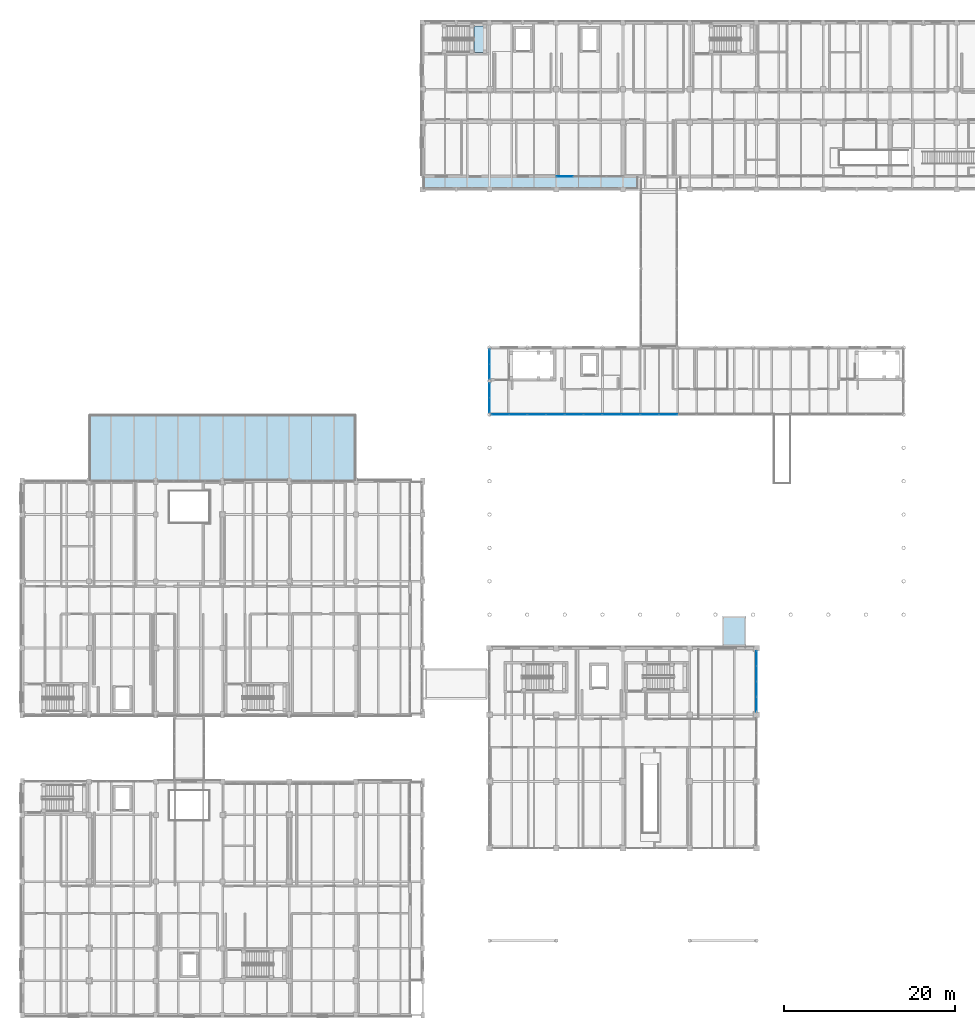
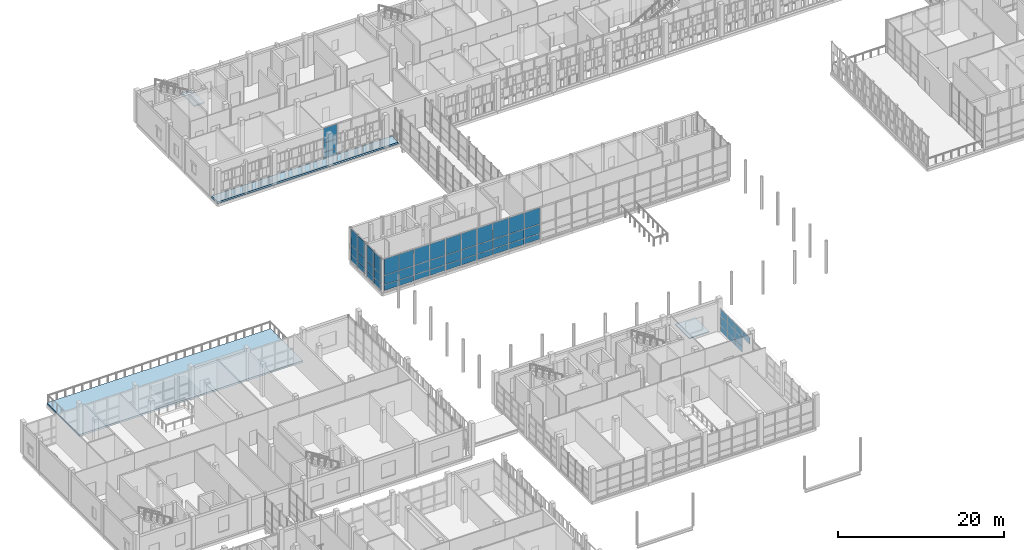
# One storey, part 81 of 138: 55 plates, 4 slabs, 10 elements without a shape of their own.
"""IFC4 building model written with IfcOpenShell, lengths in metres."""

from ifc_helpers import new_model, si_unit, direction, frame, origin, origin_2d, place, context, subcontext, project, spatial, polyline, rectangle, outline, extrude, material, layer, layer_set, type_object, element, aggregate, save


model = new_model("IFC4")

# Units and contexts
model_context = context("Model", 3, precision=1e-05, world=origin(), true_north=direction((0.0, 1.0)))
body_context = subcontext(model_context, "Body", "Model", "MODEL_VIEW")
ifc_project = project(units=[si_unit("LENGTHUNIT", "METRE"), si_unit("AREAUNIT", "SQUARE_METRE"), si_unit("VOLUMEUNIT", "CUBIC_METRE"), si_unit("PLANEANGLEUNIT", "RADIAN"), si_unit("MASSUNIT", "GRAM", prefix="KILO")], contexts=[model_context])

# Site, building, storey
site_placement = place(None, origin())
site = spatial("IfcSite", under=ifc_project, at=site_placement, CompositionType="ELEMENT")
building_placement = place(site_placement, origin())
building = spatial("IfcBuilding", under=site, at=building_placement, Name="Celorna Specialist Clinic", CompositionType="ELEMENT")
storey_placement = place(building_placement, frame((0.0, 0.0, 4.800048828125)))
storey = spatial("IfcBuildingStorey", under=building, at=storey_placement, Name="L01", CompositionType="ELEMENT", Elevation=4.800048828125)

# Curtain wall, plates
ifc_material_1 = material(Name="Thermally broken aluminium and solar-control glass curtain wall", Category="aluminium")
ifc_layer_1 = layer(ifc_material_1, 0.159912109375, Name="Thermally broken aluminium and solar-control glass curtain wall")
ifc_layer_set_1 = layer_set([ifc_layer_1], Name="Thermally broken aluminium and solar-control glass curtain wall")
curtain_wall_type_1 = type_object("IfcCurtainWallType", Name="CW-09", PredefinedType="NOTDEFINED", material=ifc_layer_set_1)
curtain_wall_1_placement = place(storey_placement, origin())
curtain_wall_1 = element("IfcCurtainWall", 1, at=curtain_wall_1_placement, inside=storey, type_object=curtain_wall_type_1, Name="Curtain wall CW-09 #27", PredefinedType="NOTDEFINED")
ifc_material_2 = material(Name="Low-e double glazing", Category="glass")
ifc_layer_2 = layer(ifc_material_2, 0.028076171875, Name="Low-e double glazing")
ifc_layer_set_2 = layer_set([ifc_layer_2], Name="Low-e double glazing")
plate_type_1 = type_object("IfcPlateType", Name="CPN-01", PredefinedType="CURTAIN_PANEL", material=ifc_layer_set_2)
plate_1_placement = place(storey_placement, frame((62.285400390625, 70.199951171875, 0.0498046875), z_axis=(0.0, 0.0, 1.0), x_axis=(-1.0, 0.0, 0.0)))
plate_1 = element("IfcPlate", 2, at=plate_1_placement, type_object=plate_type_1, Name="CW-09 panel 1.1", PredefinedType="CURTAIN_PANEL", context=body_context, shape_type="SweptSolid", body=[
    extrude(rectangle(XDim=2.12109375, YDim=0.028076171875, at=origin_2d()), origin(), (0.0, 0.0, 1.0), 0.824951171875),
])
plate_2_placement = place(storey_placement, frame((62.285400390625, 70.199951171875, 0.9248046875), z_axis=(0.0, 0.0, 1.0), x_axis=(-1.0, 0.0, 0.0)))
plate_2 = element("IfcPlate", 3, at=plate_2_placement, type_object=plate_type_1, Name="CW-09 panel 1.2", PredefinedType="CURTAIN_PANEL", context=body_context, shape_type="SweptSolid", body=[
    extrude(rectangle(XDim=2.12109375, YDim=0.028076171875, at=origin_2d()), origin(), (0.0, 0.0, 1.0), 1.35009765625),
])
plate_3_placement = place(storey_placement, frame((62.285400390625, 70.199951171875, 2.324951171875), z_axis=(0.0, 0.0, 1.0), x_axis=(-1.0, 0.0, 0.0)))
plate_3 = element("IfcPlate", 4, at=plate_3_placement, type_object=plate_type_1, Name="CW-09 panel 1.3", PredefinedType="CURTAIN_PANEL", context=body_context, shape_type="SweptSolid", body=[
    extrude(rectangle(XDim=2.12109375, YDim=0.028076171875, at=origin_2d()), origin(), (0.0, 0.0, 1.0), 2.375),
])
plate_4_placement = place(storey_placement, frame((60.114501953125, 70.199951171875, 0.0498046875), z_axis=(0.0, 0.0, 1.0), x_axis=(-1.0, 0.0, 0.0)))
plate_4 = element("IfcPlate", 5, at=plate_4_placement, type_object=plate_type_1, Name="CW-09 panel 2.1", PredefinedType="CURTAIN_PANEL", context=body_context, shape_type="SweptSolid", body=[
    extrude(rectangle(XDim=2.12109375, YDim=0.028076171875, at=origin_2d()), origin(), (0.0, 0.0, 1.0), 0.824951171875),
])
plate_5_placement = place(storey_placement, frame((60.114501953125, 70.199951171875, 0.9248046875), z_axis=(0.0, 0.0, 1.0), x_axis=(-1.0, 0.0, 0.0)))
plate_5 = element("IfcPlate", 6, at=plate_5_placement, type_object=plate_type_1, Name="CW-09 panel 2.2", PredefinedType="CURTAIN_PANEL", context=body_context, shape_type="SweptSolid", body=[
    extrude(rectangle(XDim=2.12109375, YDim=0.028076171875, at=origin_2d()), origin(), (0.0, 0.0, 1.0), 1.35009765625),
])
plate_6_placement = place(storey_placement, frame((60.114501953125, 70.199951171875, 2.324951171875), z_axis=(0.0, 0.0, 1.0), x_axis=(-1.0, 0.0, 0.0)))
plate_6 = element("IfcPlate", 7, at=plate_6_placement, type_object=plate_type_1, Name="CW-09 panel 2.3", PredefinedType="CURTAIN_PANEL", context=body_context, shape_type="SweptSolid", body=[
    extrude(rectangle(XDim=2.12109375, YDim=0.028076171875, at=origin_2d()), origin(), (0.0, 0.0, 1.0), 2.375),
])
aggregate(curtain_wall_1, [plate_1, plate_2, plate_3, plate_4, plate_5, plate_6])

curtain_wall_2_placement = place(storey_placement, origin())
curtain_wall_2 = element("IfcCurtainWall", 8, at=curtain_wall_2_placement, inside=storey, type_object=curtain_wall_type_1, Name="Curtain wall CW-09 #30", PredefinedType="NOTDEFINED")
plate_7_placement = place(storey_placement, frame((75.485595703125, 70.199951171875, 0.0498046875), z_axis=(0.0, 0.0, 1.0), x_axis=(-1.0, 0.0, 0.0)))
plate_7 = element("IfcPlate", 9, at=plate_7_placement, type_object=plate_type_1, Name="CW-09 panel 1.1", PredefinedType="CURTAIN_PANEL", context=body_context, shape_type="SweptSolid", body=[
    extrude(rectangle(XDim=2.12109375, YDim=0.028076171875, at=origin_2d()), origin(), (0.0, 0.0, 1.0), 0.824951171875),
])
plate_8_placement = place(storey_placement, frame((75.485595703125, 70.199951171875, 0.9248046875), z_axis=(0.0, 0.0, 1.0), x_axis=(-1.0, 0.0, 0.0)))
plate_8 = element("IfcPlate", 10, at=plate_8_placement, type_object=plate_type_1, Name="CW-09 panel 1.2", PredefinedType="CURTAIN_PANEL", context=body_context, shape_type="SweptSolid", body=[
    extrude(rectangle(XDim=2.12109375, YDim=0.028076171875, at=origin_2d()), origin(), (0.0, 0.0, 1.0), 1.35009765625),
])
plate_9_placement = place(storey_placement, frame((75.485595703125, 70.199951171875, 2.324951171875), z_axis=(0.0, 0.0, 1.0), x_axis=(-1.0, 0.0, 0.0)))
plate_9 = element("IfcPlate", 11, at=plate_9_placement, type_object=plate_type_1, Name="CW-09 panel 1.3", PredefinedType="CURTAIN_PANEL", context=body_context, shape_type="SweptSolid", body=[
    extrude(rectangle(XDim=2.12109375, YDim=0.028076171875, at=origin_2d()), origin(), (0.0, 0.0, 1.0), 2.375),
])
plate_10_placement = place(storey_placement, frame((73.314453125, 70.199951171875, 0.0498046875), z_axis=(0.0, 0.0, 1.0), x_axis=(-1.0, 0.0, 0.0)))
plate_10 = element("IfcPlate", 12, at=plate_10_placement, type_object=plate_type_1, Name="CW-09 panel 2.1", PredefinedType="CURTAIN_PANEL", context=body_context, shape_type="SweptSolid", body=[
    extrude(rectangle(XDim=2.12109375, YDim=0.028076171875, at=origin_2d()), origin(), (0.0, 0.0, 1.0), 0.824951171875),
])
plate_11_placement = place(storey_placement, frame((73.314453125, 70.199951171875, 0.9248046875), z_axis=(0.0, 0.0, 1.0), x_axis=(-1.0, 0.0, 0.0)))
plate_11 = element("IfcPlate", 13, at=plate_11_placement, type_object=plate_type_1, Name="CW-09 panel 2.2", PredefinedType="CURTAIN_PANEL", context=body_context, shape_type="SweptSolid", body=[
    extrude(rectangle(XDim=2.12109375, YDim=0.028076171875, at=origin_2d()), origin(), (0.0, 0.0, 1.0), 1.35009765625),
])
plate_12_placement = place(storey_placement, frame((73.314453125, 70.199951171875, 2.324951171875), z_axis=(0.0, 0.0, 1.0), x_axis=(-1.0, 0.0, 0.0)))
plate_12 = element("IfcPlate", 14, at=plate_12_placement, type_object=plate_type_1, Name="CW-09 panel 2.3", PredefinedType="CURTAIN_PANEL", context=body_context, shape_type="SweptSolid", body=[
    extrude(rectangle(XDim=2.12109375, YDim=0.028076171875, at=origin_2d()), origin(), (0.0, 0.0, 1.0), 2.375),
])
aggregate(curtain_wall_2, [plate_7, plate_8, plate_9, plate_10, plate_11, plate_12])

ifc_layer_3 = layer(ifc_material_1, 0.159912109375, Name="Thermally broken aluminium and solar-control glass curtain wall")
ifc_layer_set_3 = layer_set([ifc_layer_3], Name="Thermally broken aluminium and solar-control glass curtain wall")
curtain_wall_type_2 = type_object("IfcCurtainWallType", Name="CW-10", PredefinedType="NOTDEFINED", material=ifc_layer_set_3)
curtain_wall_3_placement = place(storey_placement, origin())
curtain_wall_3 = element("IfcCurtainWall", 15, at=curtain_wall_3_placement, inside=storey, type_object=curtain_wall_type_2, Name="Curtain wall CW-10 #28", PredefinedType="NOTDEFINED")
ifc_material_3 = material(Name="Solar-control triple glazing", Category="glass")
ifc_layer_4 = layer(ifc_material_3, 0.035888671875, Name="Solar-control triple glazing")
ifc_layer_set_4 = layer_set([ifc_layer_4], Name="Solar-control triple glazing")
plate_type_2 = type_object("IfcPlateType", Name="CPN-02", PredefinedType="CURTAIN_PANEL", material=ifc_layer_set_4)
plate_13_placement = place(storey_placement, frame((66.685546875, 70.199951171875, 0.0498046875), z_axis=(0.0, 0.0, 1.0), x_axis=(-1.0, 0.0, 0.0)))
plate_13 = element("IfcPlate", 16, at=plate_13_placement, type_object=plate_type_2, Name="CW-10 panel 1.1", PredefinedType="CURTAIN_PANEL", context=body_context, shape_type="SweptSolid", body=[
    extrude(rectangle(XDim=2.12109375, YDim=0.035888671875, at=origin_2d()), origin(), (0.0, 0.0, 1.0), 0.824951171875),
])
plate_14_placement = place(storey_placement, frame((66.685546875, 70.199951171875, 0.9248046875), z_axis=(0.0, 0.0, 1.0), x_axis=(-1.0, 0.0, 0.0)))
plate_14 = element("IfcPlate", 17, at=plate_14_placement, type_object=plate_type_2, Name="CW-10 panel 1.2", PredefinedType="CURTAIN_PANEL", context=body_context, shape_type="SweptSolid", body=[
    extrude(rectangle(XDim=2.12109375, YDim=0.035888671875, at=origin_2d()), origin(), (0.0, 0.0, 1.0), 1.35009765625),
])
plate_15_placement = place(storey_placement, frame((66.685546875, 70.199951171875, 2.324951171875), z_axis=(0.0, 0.0, 1.0), x_axis=(-1.0, 0.0, 0.0)))
plate_15 = element("IfcPlate", 18, at=plate_15_placement, type_object=plate_type_2, Name="CW-10 panel 1.3", PredefinedType="CURTAIN_PANEL", context=body_context, shape_type="SweptSolid", body=[
    extrude(rectangle(XDim=2.12109375, YDim=0.035888671875, at=origin_2d()), origin(), (0.0, 0.0, 1.0), 2.375),
])
plate_16_placement = place(storey_placement, frame((64.514404296875, 70.199951171875, 0.0498046875), z_axis=(0.0, 0.0, 1.0), x_axis=(-1.0, 0.0, 0.0)))
plate_16 = element("IfcPlate", 19, at=plate_16_placement, type_object=plate_type_2, Name="CW-10 panel 2.1", PredefinedType="CURTAIN_PANEL", context=body_context, shape_type="SweptSolid", body=[
    extrude(rectangle(XDim=2.12109375, YDim=0.035888671875, at=origin_2d()), origin(), (0.0, 0.0, 1.0), 0.824951171875),
])
plate_17_placement = place(storey_placement, frame((64.514404296875, 70.199951171875, 0.9248046875), z_axis=(0.0, 0.0, 1.0), x_axis=(-1.0, 0.0, 0.0)))
plate_17 = element("IfcPlate", 20, at=plate_17_placement, type_object=plate_type_2, Name="CW-10 panel 2.2", PredefinedType="CURTAIN_PANEL", context=body_context, shape_type="SweptSolid", body=[
    extrude(rectangle(XDim=2.12109375, YDim=0.035888671875, at=origin_2d()), origin(), (0.0, 0.0, 1.0), 1.35009765625),
])
plate_18_placement = place(storey_placement, frame((64.514404296875, 70.199951171875, 2.324951171875), z_axis=(0.0, 0.0, 1.0), x_axis=(-1.0, 0.0, 0.0)))
plate_18 = element("IfcPlate", 21, at=plate_18_placement, type_object=plate_type_2, Name="CW-10 panel 2.3", PredefinedType="CURTAIN_PANEL", context=body_context, shape_type="SweptSolid", body=[
    extrude(rectangle(XDim=2.12109375, YDim=0.035888671875, at=origin_2d()), origin(), (0.0, 0.0, 1.0), 2.375),
])
aggregate(curtain_wall_3, [plate_13, plate_14, plate_15, plate_16, plate_17, plate_18])

ifc_layer_5 = layer(ifc_material_1, 0.159912109375, Name="Thermally broken aluminium and solar-control glass curtain wall")
ifc_layer_set_5 = layer_set([ifc_layer_5], Name="Thermally broken aluminium and solar-control glass curtain wall")
curtain_wall_type_3 = type_object("IfcCurtainWallType", Name="CW-26", PredefinedType="NOTDEFINED", material=ifc_layer_set_5)
curtain_wall_4_placement = place(storey_placement, origin())
curtain_wall_4 = element("IfcCurtainWall", 22, at=curtain_wall_4_placement, inside=storey, type_object=curtain_wall_type_3, Name="Curtain wall CW-26 #104", PredefinedType="NOTDEFINED")
plate_19_placement = place(storey_placement, frame((63.390380859375, 98.0, 0.0498046875), z_axis=(0.0, 0.0, 1.0), x_axis=(-1.0, 0.0, 0.0)))
plate_19 = element("IfcPlate", 23, at=plate_19_placement, type_object=plate_type_2, Name="CW-26 panel 4.1", PredefinedType="CURTAIN_PANEL", context=body_context, shape_type="SweptSolid", body=[
    extrude(rectangle(XDim=1.873046875, YDim=0.035888671875, at=origin_2d()), origin(), (0.0, 0.0, 1.0), 0.824951171875),
])
plate_20_placement = place(storey_placement, frame((63.390380859375, 98.0, 0.9248046875), z_axis=(0.0, 0.0, 1.0), x_axis=(-1.0, 0.0, 0.0)))
plate_20 = element("IfcPlate", 24, at=plate_20_placement, type_object=plate_type_2, Name="CW-26 panel 4.2", PredefinedType="CURTAIN_PANEL", context=body_context, shape_type="SweptSolid", body=[
    extrude(rectangle(XDim=1.873046875, YDim=0.035888671875, at=origin_2d()), origin(), (0.0, 0.0, 1.0), 1.35009765625),
])
plate_21_placement = place(storey_placement, frame((63.390380859375, 98.0, 2.324951171875), z_axis=(0.0, 0.0, 1.0), x_axis=(-1.0, 0.0, 0.0)))
plate_21 = element("IfcPlate", 25, at=plate_21_placement, type_object=plate_type_2, Name="CW-26 panel 4.3", PredefinedType="CURTAIN_PANEL", context=body_context, shape_type="SweptSolid", body=[
    extrude(rectangle(XDim=1.873046875, YDim=0.035888671875, at=origin_2d()), origin(), (0.0, 0.0, 1.0), 2.1650390625),
])
aggregate(curtain_wall_4, [plate_19, plate_20, plate_21])

ifc_layer_6 = layer(ifc_material_1, 0.159912109375, Name="Thermally broken aluminium and solar-control glass curtain wall")
ifc_layer_set_6 = layer_set([ifc_layer_6], Name="Thermally broken aluminium and solar-control glass curtain wall")
curtain_wall_type_4 = type_object("IfcCurtainWallType", Name="CW-110", PredefinedType="NOTDEFINED", material=ifc_layer_set_6)
curtain_wall_5_placement = place(storey_placement, origin())
curtain_wall_5 = element("IfcCurtainWall", 26, at=curtain_wall_5_placement, inside=storey, type_object=curtain_wall_type_4, Name="Curtain wall CW-110 #195", PredefinedType="NOTDEFINED")
plate_22_placement = place(storey_placement, frame((85.800048828125, 41.665771484375, 0.0498046875), z_axis=(0.0, 0.0, 1.0), x_axis=(0.0, -1.0, 0.0)))
plate_22 = element("IfcPlate", 27, at=plate_22_placement, type_object=plate_type_2, Name="CW-110 panel 1.1", PredefinedType="CURTAIN_PANEL", context=body_context, shape_type="SweptSolid", body=[
    extrude(rectangle(XDim=1.71044921875, YDim=0.035888671875, at=origin_2d()), origin(), (0.0, 0.0, 1.0), 0.824951171875),
])
plate_23_placement = place(storey_placement, frame((85.800048828125, 41.665771484375, 0.9248046875), z_axis=(0.0, 0.0, 1.0), x_axis=(0.0, -1.0, 0.0)))
plate_23 = element("IfcPlate", 28, at=plate_23_placement, type_object=plate_type_2, Name="CW-110 panel 1.2", PredefinedType="CURTAIN_PANEL", context=body_context, shape_type="SweptSolid", body=[
    extrude(rectangle(XDim=1.71044921875, YDim=0.035888671875, at=origin_2d()), origin(), (0.0, 0.0, 1.0), 1.35009765625),
])
plate_24_placement = place(storey_placement, frame((85.800048828125, 41.665771484375, 2.3251953125), z_axis=(0.0, 0.0, 1.0), x_axis=(0.0, -1.0, 0.0)))
plate_24 = element("IfcPlate", 29, at=plate_24_placement, type_object=plate_type_2, Name="CW-110 panel 1.3", PredefinedType="CURTAIN_PANEL", context=body_context, shape_type="SweptSolid", body=[
    extrude(rectangle(XDim=1.71044921875, YDim=0.035888671875, at=origin_2d()), origin(), (0.0, 0.0, 1.0), 1.014892578125),
])
plate_25_placement = place(storey_placement, frame((85.800048828125, 39.892822265625, 0.0498046875), z_axis=(0.0, 0.0, 1.0), x_axis=(0.0, -1.0, 0.0)))
plate_25 = element("IfcPlate", 30, at=plate_25_placement, type_object=plate_type_2, Name="CW-110 panel 2.1", PredefinedType="CURTAIN_PANEL", context=body_context, shape_type="SweptSolid", body=[
    extrude(rectangle(XDim=1.735595703125, YDim=0.035888671875, at=origin_2d()), origin(), (0.0, 0.0, 1.0), 0.824951171875),
])
plate_26_placement = place(storey_placement, frame((85.800048828125, 39.892822265625, 0.9248046875), z_axis=(0.0, 0.0, 1.0), x_axis=(0.0, -1.0, 0.0)))
plate_26 = element("IfcPlate", 31, at=plate_26_placement, type_object=plate_type_2, Name="CW-110 panel 2.2", PredefinedType="CURTAIN_PANEL", context=body_context, shape_type="SweptSolid", body=[
    extrude(rectangle(XDim=1.735595703125, YDim=0.035888671875, at=origin_2d()), origin(), (0.0, 0.0, 1.0), 1.35009765625),
])
plate_27_placement = place(storey_placement, frame((85.800048828125, 39.892822265625, 2.3251953125), z_axis=(0.0, 0.0, 1.0), x_axis=(0.0, -1.0, 0.0)))
plate_27 = element("IfcPlate", 32, at=plate_27_placement, type_object=plate_type_2, Name="CW-110 panel 2.3", PredefinedType="CURTAIN_PANEL", context=body_context, shape_type="SweptSolid", body=[
    extrude(rectangle(XDim=1.735595703125, YDim=0.035888671875, at=origin_2d()), origin(), (0.0, 0.0, 1.0), 1.014892578125),
])
plate_28_placement = place(storey_placement, frame((85.800048828125, 38.107177734375, 0.0498046875), z_axis=(0.0, 0.0, 1.0), x_axis=(0.0, -1.0, 0.0)))
plate_28 = element("IfcPlate", 33, at=plate_28_placement, type_object=plate_type_2, Name="CW-110 panel 3.1", PredefinedType="CURTAIN_PANEL", context=body_context, shape_type="SweptSolid", body=[
    extrude(rectangle(XDim=1.735595703125, YDim=0.035888671875, at=origin_2d()), origin(), (0.0, 0.0, 1.0), 0.824951171875),
])
plate_29_placement = place(storey_placement, frame((85.800048828125, 38.107177734375, 0.9248046875), z_axis=(0.0, 0.0, 1.0), x_axis=(0.0, -1.0, 0.0)))
plate_29 = element("IfcPlate", 34, at=plate_29_placement, type_object=plate_type_2, Name="CW-110 panel 3.2", PredefinedType="CURTAIN_PANEL", context=body_context, shape_type="SweptSolid", body=[
    extrude(rectangle(XDim=1.735595703125, YDim=0.035888671875, at=origin_2d()), origin(), (0.0, 0.0, 1.0), 1.35009765625),
])
plate_30_placement = place(storey_placement, frame((85.800048828125, 38.107177734375, 2.3251953125), z_axis=(0.0, 0.0, 1.0), x_axis=(0.0, -1.0, 0.0)))
plate_30 = element("IfcPlate", 35, at=plate_30_placement, type_object=plate_type_2, Name="CW-110 panel 3.3", PredefinedType="CURTAIN_PANEL", context=body_context, shape_type="SweptSolid", body=[
    extrude(rectangle(XDim=1.735595703125, YDim=0.035888671875, at=origin_2d()), origin(), (0.0, 0.0, 1.0), 1.014892578125),
])
plate_31_placement = place(storey_placement, frame((85.800048828125, 36.334228515625, 2.3251953125), z_axis=(0.0, 0.0, 1.0), x_axis=(0.0, -1.0, 0.0)))
plate_31 = element("IfcPlate", 36, at=plate_31_placement, type_object=plate_type_2, Name="CW-110 panel 4.3", PredefinedType="CURTAIN_PANEL", context=body_context, shape_type="SweptSolid", body=[
    extrude(rectangle(XDim=1.71044921875, YDim=0.035888671875, at=origin_2d()), origin(), (0.0, 0.0, 1.0), 1.014892578125),
])
aggregate(curtain_wall_5, [plate_22, plate_23, plate_24, plate_25, plate_26, plate_27, plate_28, plate_29, plate_30, plate_31])

ifc_layer_7 = layer(ifc_material_1, 0.159912109375, Name="Thermally broken aluminium and solar-control glass curtain wall")
ifc_layer_set_7 = layer_set([ifc_layer_7], Name="Thermally broken aluminium and solar-control glass curtain wall")
curtain_wall_type_5 = type_object("IfcCurtainWallType", Name="CW-08", PredefinedType="NOTDEFINED", material=ifc_layer_set_7)
curtain_wall_6_placement = place(storey_placement, origin())
curtain_wall_6 = element("IfcCurtainWall", 37, at=curtain_wall_6_placement, inside=storey, type_object=curtain_wall_type_5, Name="Curtain wall CW-08 #26", PredefinedType="NOTDEFINED")
ifc_material_4 = material(Name="Glazed polychrome ceramic insulated spandrel")
ifc_layer_8 = layer(ifc_material_4, 0.0439453125, Name="Glazed polychrome ceramic insulated spandrel")
ifc_layer_set_8 = layer_set([ifc_layer_8], Name="Glazed polychrome ceramic insulated spandrel")
plate_type_3 = type_object("IfcPlateType", Name="CPN-03", PredefinedType="CURTAIN_PANEL", material=ifc_layer_set_8)
plate_32_placement = place(storey_placement, frame((57.936279296875, 70.199951171875, 0.0498046875), z_axis=(0.0, 0.0, 1.0), x_axis=(-1.0, 0.0, 0.0)))
plate_32 = element("IfcPlate", 38, at=plate_32_placement, type_object=plate_type_3, Name="CW-08 panel 1.1", PredefinedType="CURTAIN_PANEL", context=body_context, shape_type="SweptSolid", body=[
    extrude(rectangle(XDim=2.019287109375, YDim=0.0439453125, at=origin_2d()), origin(), (0.0, 0.0, 1.0), 0.824951171875),
])
plate_33_placement = place(storey_placement, frame((57.936279296875, 70.199951171875, 0.9248046875), z_axis=(0.0, 0.0, 1.0), x_axis=(-1.0, 0.0, 0.0)))
plate_33 = element("IfcPlate", 39, at=plate_33_placement, type_object=plate_type_3, Name="CW-08 panel 1.2", PredefinedType="CURTAIN_PANEL", context=body_context, shape_type="SweptSolid", body=[
    extrude(rectangle(XDim=2.019287109375, YDim=0.0439453125, at=origin_2d()), origin(), (0.0, 0.0, 1.0), 1.35009765625),
])
plate_34_placement = place(storey_placement, frame((57.936279296875, 70.199951171875, 2.324951171875), z_axis=(0.0, 0.0, 1.0), x_axis=(-1.0, 0.0, 0.0)))
plate_34 = element("IfcPlate", 40, at=plate_34_placement, type_object=plate_type_3, Name="CW-08 panel 1.3", PredefinedType="CURTAIN_PANEL", context=body_context, shape_type="SweptSolid", body=[
    extrude(rectangle(XDim=2.019287109375, YDim=0.0439453125, at=origin_2d()), origin(), (0.0, 0.0, 1.0), 2.375),
])
plate_35_placement = place(storey_placement, frame((55.866943359375, 70.199951171875, 0.0498046875), z_axis=(0.0, 0.0, 1.0), x_axis=(-1.0, 0.0, 0.0)))
plate_35 = element("IfcPlate", 41, at=plate_35_placement, type_object=plate_type_3, Name="CW-08 panel 2.1", PredefinedType="CURTAIN_PANEL", context=body_context, shape_type="SweptSolid", body=[
    extrude(rectangle(XDim=2.019287109375, YDim=0.0439453125, at=origin_2d()), origin(), (0.0, 0.0, 1.0), 0.824951171875),
])
plate_36_placement = place(storey_placement, frame((55.866943359375, 70.199951171875, 0.9248046875), z_axis=(0.0, 0.0, 1.0), x_axis=(-1.0, 0.0, 0.0)))
plate_36 = element("IfcPlate", 42, at=plate_36_placement, type_object=plate_type_3, Name="CW-08 panel 2.2", PredefinedType="CURTAIN_PANEL", context=body_context, shape_type="SweptSolid", body=[
    extrude(rectangle(XDim=2.019287109375, YDim=0.0439453125, at=origin_2d()), origin(), (0.0, 0.0, 1.0), 1.35009765625),
])
plate_37_placement = place(storey_placement, frame((55.866943359375, 70.199951171875, 2.324951171875), z_axis=(0.0, 0.0, 1.0), x_axis=(-1.0, 0.0, 0.0)))
plate_37 = element("IfcPlate", 43, at=plate_37_placement, type_object=plate_type_3, Name="CW-08 panel 2.3", PredefinedType="CURTAIN_PANEL", context=body_context, shape_type="SweptSolid", body=[
    extrude(rectangle(XDim=2.019287109375, YDim=0.0439453125, at=origin_2d()), origin(), (0.0, 0.0, 1.0), 2.375),
])
aggregate(curtain_wall_6, [plate_32, plate_33, plate_34, plate_35, plate_36, plate_37])

ifc_layer_9 = layer(ifc_material_1, 0.159912109375, Name="Thermally broken aluminium and solar-control glass curtain wall")
ifc_layer_set_9 = layer_set([ifc_layer_9], Name="Thermally broken aluminium and solar-control glass curtain wall")
curtain_wall_type_6 = type_object("IfcCurtainWallType", Name="CW-11", PredefinedType="NOTDEFINED", material=ifc_layer_set_9)
curtain_wall_7_placement = place(storey_placement, origin())
curtain_wall_7 = element("IfcCurtainWall", 44, at=curtain_wall_7_placement, inside=storey, type_object=curtain_wall_type_6, Name="Curtain wall CW-11 #29", PredefinedType="NOTDEFINED")
plate_38_placement = place(storey_placement, frame((71.08544921875, 70.199951171875, 0.0498046875), z_axis=(0.0, 0.0, 1.0), x_axis=(-1.0, 0.0, 0.0)))
plate_38 = element("IfcPlate", 45, at=plate_38_placement, type_object=plate_type_3, Name="CW-11 panel 1.1", PredefinedType="CURTAIN_PANEL", context=body_context, shape_type="SweptSolid", body=[
    extrude(rectangle(XDim=2.12109375, YDim=0.0439453125, at=origin_2d()), origin(), (0.0, 0.0, 1.0), 0.824951171875),
])
plate_39_placement = place(storey_placement, frame((71.08544921875, 70.199951171875, 0.9248046875), z_axis=(0.0, 0.0, 1.0), x_axis=(-1.0, 0.0, 0.0)))
plate_39 = element("IfcPlate", 46, at=plate_39_placement, type_object=plate_type_3, Name="CW-11 panel 1.2", PredefinedType="CURTAIN_PANEL", context=body_context, shape_type="SweptSolid", body=[
    extrude(rectangle(XDim=2.12109375, YDim=0.0439453125, at=origin_2d()), origin(), (0.0, 0.0, 1.0), 1.35009765625),
])
plate_40_placement = place(storey_placement, frame((71.08544921875, 70.199951171875, 2.324951171875), z_axis=(0.0, 0.0, 1.0), x_axis=(-1.0, 0.0, 0.0)))
plate_40 = element("IfcPlate", 47, at=plate_40_placement, type_object=plate_type_3, Name="CW-11 panel 1.3", PredefinedType="CURTAIN_PANEL", context=body_context, shape_type="SweptSolid", body=[
    extrude(rectangle(XDim=2.12109375, YDim=0.0439453125, at=origin_2d()), origin(), (0.0, 0.0, 1.0), 2.375),
])
plate_41_placement = place(storey_placement, frame((68.91455078125, 70.199951171875, 0.0498046875), z_axis=(0.0, 0.0, 1.0), x_axis=(-1.0, 0.0, 0.0)))
plate_41 = element("IfcPlate", 48, at=plate_41_placement, type_object=plate_type_3, Name="CW-11 panel 2.1", PredefinedType="CURTAIN_PANEL", context=body_context, shape_type="SweptSolid", body=[
    extrude(rectangle(XDim=2.12109375, YDim=0.0439453125, at=origin_2d()), origin(), (0.0, 0.0, 1.0), 0.824951171875),
])
plate_42_placement = place(storey_placement, frame((68.91455078125, 70.199951171875, 0.9248046875), z_axis=(0.0, 0.0, 1.0), x_axis=(-1.0, 0.0, 0.0)))
plate_42 = element("IfcPlate", 49, at=plate_42_placement, type_object=plate_type_3, Name="CW-11 panel 2.2", PredefinedType="CURTAIN_PANEL", context=body_context, shape_type="SweptSolid", body=[
    extrude(rectangle(XDim=2.12109375, YDim=0.0439453125, at=origin_2d()), origin(), (0.0, 0.0, 1.0), 1.35009765625),
])
plate_43_placement = place(storey_placement, frame((68.91455078125, 70.199951171875, 2.324951171875), z_axis=(0.0, 0.0, 1.0), x_axis=(-1.0, 0.0, 0.0)))
plate_43 = element("IfcPlate", 50, at=plate_43_placement, type_object=plate_type_3, Name="CW-11 panel 2.3", PredefinedType="CURTAIN_PANEL", context=body_context, shape_type="SweptSolid", body=[
    extrude(rectangle(XDim=2.12109375, YDim=0.0439453125, at=origin_2d()), origin(), (0.0, 0.0, 1.0), 2.375),
])
aggregate(curtain_wall_7, [plate_38, plate_39, plate_40, plate_41, plate_42, plate_43])

ifc_layer_10 = layer(ifc_material_1, 0.159912109375, Name="Thermally broken aluminium and solar-control glass curtain wall")
ifc_layer_set_10 = layer_set([ifc_layer_10], Name="Thermally broken aluminium and solar-control glass curtain wall")
curtain_wall_type_7 = type_object("IfcCurtainWallType", Name="CW-13", PredefinedType="NOTDEFINED", material=ifc_layer_set_10)
curtain_wall_8_placement = place(storey_placement, origin())
curtain_wall_8 = element("IfcCurtainWall", 51, at=curtain_wall_8_placement, inside=storey, type_object=curtain_wall_type_7, Name="Curtain wall CW-13 #37", PredefinedType="NOTDEFINED")
plate_44_placement = place(storey_placement, frame((54.60009765625, 71.291015625, 0.0498046875), z_axis=(0.0, 0.0, 1.0), x_axis=(0.0, 1.0, 0.0)))
plate_44 = element("IfcPlate", 52, at=plate_44_placement, type_object=plate_type_3, Name="CW-13 panel 1.1", PredefinedType="CURTAIN_PANEL", context=body_context, shape_type="SweptSolid", body=[
    extrude(rectangle(XDim=1.667724609375, YDim=0.0439453125, at=origin_2d()), origin(), (0.0, 0.0, 1.0), 0.824951171875),
])
plate_45_placement = place(storey_placement, frame((54.60009765625, 71.291015625, 0.9248046875), z_axis=(0.0, 0.0, 1.0), x_axis=(0.0, 1.0, 0.0)))
plate_45 = element("IfcPlate", 53, at=plate_45_placement, type_object=plate_type_3, Name="CW-13 panel 1.2", PredefinedType="CURTAIN_PANEL", context=body_context, shape_type="SweptSolid", body=[
    extrude(rectangle(XDim=1.667724609375, YDim=0.0439453125, at=origin_2d()), origin(), (0.0, 0.0, 1.0), 1.35009765625),
])
plate_46_placement = place(storey_placement, frame((54.60009765625, 71.291015625, 2.324951171875), z_axis=(0.0, 0.0, 1.0), x_axis=(0.0, 1.0, 0.0)))
plate_46 = element("IfcPlate", 54, at=plate_46_placement, type_object=plate_type_3, Name="CW-13 panel 1.3", PredefinedType="CURTAIN_PANEL", context=body_context, shape_type="SweptSolid", body=[
    extrude(rectangle(XDim=1.667724609375, YDim=0.0439453125, at=origin_2d()), origin(), (0.0, 0.0, 1.0), 2.375),
])
plate_47_placement = place(storey_placement, frame((54.60009765625, 73.0087890625, 0.0498046875), z_axis=(0.0, 0.0, 1.0), x_axis=(0.0, 1.0, 0.0)))
plate_47 = element("IfcPlate", 55, at=plate_47_placement, type_object=plate_type_3, Name="CW-13 panel 2.1", PredefinedType="CURTAIN_PANEL", context=body_context, shape_type="SweptSolid", body=[
    extrude(rectangle(XDim=1.667724609375, YDim=0.0439453125, at=origin_2d()), origin(), (0.0, 0.0, 1.0), 0.824951171875),
])
plate_48_placement = place(storey_placement, frame((54.60009765625, 73.0087890625, 0.9248046875), z_axis=(0.0, 0.0, 1.0), x_axis=(0.0, 1.0, 0.0)))
plate_48 = element("IfcPlate", 56, at=plate_48_placement, type_object=plate_type_3, Name="CW-13 panel 2.2", PredefinedType="CURTAIN_PANEL", context=body_context, shape_type="SweptSolid", body=[
    extrude(rectangle(XDim=1.667724609375, YDim=0.0439453125, at=origin_2d()), origin(), (0.0, 0.0, 1.0), 1.35009765625),
])
plate_49_placement = place(storey_placement, frame((54.60009765625, 73.0087890625, 2.324951171875), z_axis=(0.0, 0.0, 1.0), x_axis=(0.0, 1.0, 0.0)))
plate_49 = element("IfcPlate", 57, at=plate_49_placement, type_object=plate_type_3, Name="CW-13 panel 2.3", PredefinedType="CURTAIN_PANEL", context=body_context, shape_type="SweptSolid", body=[
    extrude(rectangle(XDim=1.667724609375, YDim=0.0439453125, at=origin_2d()), origin(), (0.0, 0.0, 1.0), 2.375),
])
aggregate(curtain_wall_8, [plate_44, plate_45, plate_46, plate_47, plate_48, plate_49])

curtain_wall_9_placement = place(storey_placement, origin())
curtain_wall_9 = element("IfcCurtainWall", 58, at=curtain_wall_9_placement, inside=storey, type_object=curtain_wall_type_7, Name="Curtain wall CW-13 #38", PredefinedType="NOTDEFINED")
plate_50_placement = place(storey_placement, frame((54.60009765625, 75.191162109375, 0.0498046875), z_axis=(0.0, 0.0, 1.0), x_axis=(0.0, 1.0, 0.0)))
plate_50 = element("IfcPlate", 59, at=plate_50_placement, type_object=plate_type_3, Name="CW-13 panel 1.1", PredefinedType="CURTAIN_PANEL", context=body_context, shape_type="SweptSolid", body=[
    extrude(rectangle(XDim=1.667724609375, YDim=0.0439453125, at=origin_2d()), origin(), (0.0, 0.0, 1.0), 0.824951171875),
])
plate_51_placement = place(storey_placement, frame((54.60009765625, 75.191162109375, 0.9248046875), z_axis=(0.0, 0.0, 1.0), x_axis=(0.0, 1.0, 0.0)))
plate_51 = element("IfcPlate", 60, at=plate_51_placement, type_object=plate_type_3, Name="CW-13 panel 1.2", PredefinedType="CURTAIN_PANEL", context=body_context, shape_type="SweptSolid", body=[
    extrude(rectangle(XDim=1.667724609375, YDim=0.0439453125, at=origin_2d()), origin(), (0.0, 0.0, 1.0), 1.35009765625),
])
plate_52_placement = place(storey_placement, frame((54.60009765625, 75.191162109375, 2.324951171875), z_axis=(0.0, 0.0, 1.0), x_axis=(0.0, 1.0, 0.0)))
plate_52 = element("IfcPlate", 61, at=plate_52_placement, type_object=plate_type_3, Name="CW-13 panel 1.3", PredefinedType="CURTAIN_PANEL", context=body_context, shape_type="SweptSolid", body=[
    extrude(rectangle(XDim=1.667724609375, YDim=0.0439453125, at=origin_2d()), origin(), (0.0, 0.0, 1.0), 2.375),
])
plate_53_placement = place(storey_placement, frame((54.60009765625, 76.908935546875, 0.0498046875), z_axis=(0.0, 0.0, 1.0), x_axis=(0.0, 1.0, 0.0)))
plate_53 = element("IfcPlate", 62, at=plate_53_placement, type_object=plate_type_3, Name="CW-13 panel 2.1", PredefinedType="CURTAIN_PANEL", context=body_context, shape_type="SweptSolid", body=[
    extrude(rectangle(XDim=1.667724609375, YDim=0.0439453125, at=origin_2d()), origin(), (0.0, 0.0, 1.0), 0.824951171875),
])
plate_54_placement = place(storey_placement, frame((54.60009765625, 76.908935546875, 0.9248046875), z_axis=(0.0, 0.0, 1.0), x_axis=(0.0, 1.0, 0.0)))
plate_54 = element("IfcPlate", 63, at=plate_54_placement, type_object=plate_type_3, Name="CW-13 panel 2.2", PredefinedType="CURTAIN_PANEL", context=body_context, shape_type="SweptSolid", body=[
    extrude(rectangle(XDim=1.667724609375, YDim=0.0439453125, at=origin_2d()), origin(), (0.0, 0.0, 1.0), 1.35009765625),
])
plate_55_placement = place(storey_placement, frame((54.60009765625, 76.908935546875, 2.324951171875), z_axis=(0.0, 0.0, 1.0), x_axis=(0.0, 1.0, 0.0)))
plate_55 = element("IfcPlate", 64, at=plate_55_placement, type_object=plate_type_3, Name="CW-13 panel 2.3", PredefinedType="CURTAIN_PANEL", context=body_context, shape_type="SweptSolid", body=[
    extrude(rectangle(XDim=1.667724609375, YDim=0.0439453125, at=origin_2d()), origin(), (0.0, 0.0, 1.0), 2.375),
])
aggregate(curtain_wall_9, [plate_50, plate_51, plate_52, plate_53, plate_54, plate_55])

# Slabs
ifc_material_5 = material(Name="Concrete C35/45", Category="concrete")
ifc_layer_11 = layer(ifc_material_5, 0.260009765625, Name="Concrete C35/45")
ifc_layer_set_11 = layer_set([ifc_layer_11], Name="Concrete C35/45")
slab_type_1 = type_object("IfcSlabType", Name="SL-07", PredefinedType="FLOOR", material=ifc_layer_set_11)
slab_1_placement = place(storey_placement, frame((0.0, 0.0, -0.260009765625)))
element("IfcSlab", 65, at=slab_1_placement, inside=storey, type_object=slab_type_1, Name="Imaging Garden Terrace", PredefinedType="FLOOR", context=body_context, shape_type="SweptSolid", body=[
    extrude(outline(polyline([(7.800048828125, 62.39990234375), (39.0, 62.39990234375), (39.0, 70.199951171875), (7.800048828125, 70.199951171875), (7.800048828125, 62.39990234375)])), origin(), (0.0, 0.0, 1.0), 0.260009765625),
])
slab_2_placement = place(storey_placement, frame((0.0, 0.0, -0.260009765625)))
element("IfcSlab", 66, at=slab_2_placement, inside=storey, type_object=slab_type_1, Name="West Outpatient Cloister Veranda", PredefinedType="FLOOR", context=body_context, shape_type="SweptSolid", body=[
    extrude(outline(polyline([(46.800048828125, 96.5), (72.0, 96.5), (72.0, 98.0), (46.800048828125, 98.0), (46.800048828125, 96.5)])), origin(), (0.0, 0.0, 1.0), 0.260009765625),
])

# Stair, slab
stair_type = type_object("IfcStairType", Name="ST-02", PredefinedType="HALF_TURN_STAIR", material=ifc_material_5)
stair_placement = place(storey_placement, origin())
stair = element("IfcStair", 67, at=stair_placement, inside=storey, type_object=stair_type, Name="L01 Protected exit stair ST-01", PredefinedType="HALF_TURN_STAIR")
ifc_layer_12 = layer(ifc_material_5, 0.199951171875, Name="Concrete C35/45")
ifc_layer_set_12 = layer_set([ifc_layer_12], Name="Concrete C35/45")
slab_type_2 = type_object("IfcSlabType", Name="SL-11", PredefinedType="LANDING", material=ifc_layer_set_12)
slab_3_placement = place(storey_placement, frame((0.0, 0.0, 2.199951171875)))
slab_3 = element("IfcSlab", 68, at=slab_3_placement, type_object=slab_type_2, Name="ST-01 landing 1", PredefinedType="LANDING", context=body_context, shape_type="SweptSolid", body=[
    extrude(outline(polyline([(52.780029296875, 112.52001953125), (54.239990234375, 112.52001953125), (54.239990234375, 115.6201171875), (52.780029296875, 115.6201171875), (52.780029296875, 112.52001953125)])), origin(), (0.0, 0.0, 1.0), 0.199951171875),
])
aggregate(stair, [slab_3])

# Slab
ifc_material_6 = material(Name="Precast concrete C35/45", Category="concrete")
ifc_layer_13 = layer(ifc_material_6, 0.139892578125, Name="Precast concrete C35/45")
ifc_layer_set_13 = layer_set([ifc_layer_13], Name="Precast concrete C35/45")
slab_type_3 = type_object("IfcSlabType", Name="SL-14", PredefinedType="ROOF", material=ifc_layer_set_13)
slab_4_placement = place(storey_placement, frame((0.0, 0.0, -0.14013671875)))
element("IfcSlab", 69, at=slab_4_placement, inside=storey, type_object=slab_type_3, Name="Cloister bridge BR-03 roof slab", PredefinedType="ROOF", context=body_context, shape_type="SweptSolid", body=[
    extrude(outline(polyline([(81.800048828125, 43.159912109375), (84.60009765625, 43.159912109375), (84.60009765625, 46.56005859375), (81.800048828125, 46.56005859375), (81.800048828125, 43.159912109375)])), origin(), (0.0, 0.0, 1.0), 0.14013671875),
])

save(model, "model.ifc")
